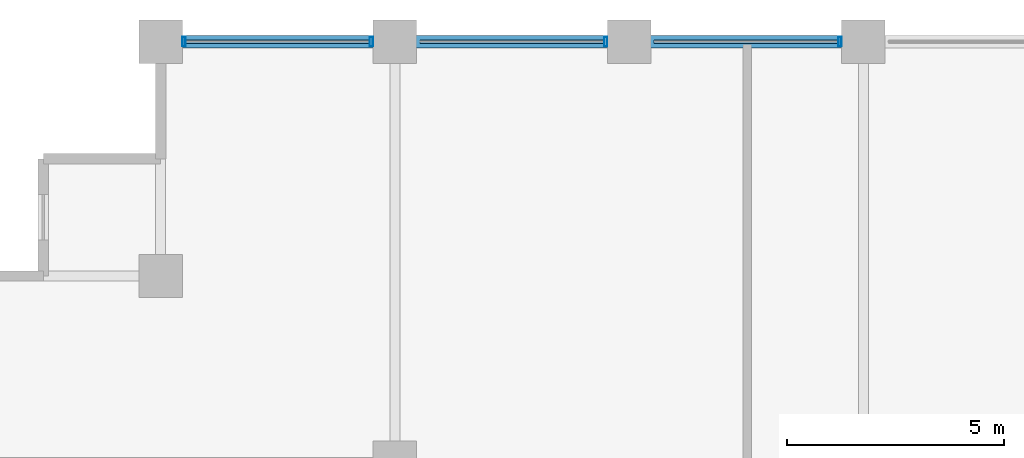
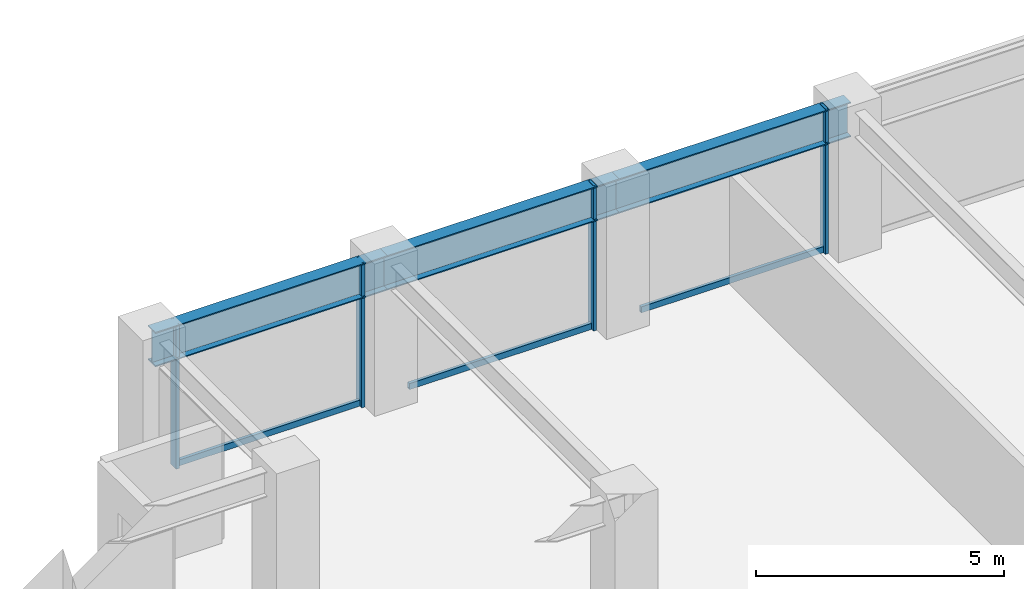
# One storey, part 12 of 23: 7 members, 3 beams, 1 element without a shape of its own.
"""IFC4 building model written with IfcOpenShell, lengths in metres."""

from ifc_helpers import new_model, si_unit, direction, frame, origin, origin_2d, place, context, subcontext, project, spatial, hollow_rectangle, i_section, extrude, material, layer, layer_set, material_profile, profile_set, type_object, element, aggregate, save


model = new_model("IFC4")

# Units and contexts
model_context = context("Model", 3, precision=1e-05, world=origin(), true_north=direction((0.0, 1.0)))
body_context = subcontext(model_context, "Body", "Model", "MODEL_VIEW")
ifc_project = project(units=[si_unit("LENGTHUNIT", "METRE"), si_unit("AREAUNIT", "SQUARE_METRE"), si_unit("VOLUMEUNIT", "CUBIC_METRE"), si_unit("PLANEANGLEUNIT", "RADIAN"), si_unit("MASSUNIT", "GRAM", prefix="KILO")], contexts=[model_context])

# Site, building, storey
site_placement = place(None, origin())
site = spatial("IfcSite", under=ifc_project, at=site_placement, CompositionType="ELEMENT")
building_placement = place(site_placement, origin())
building = spatial("IfcBuilding", under=site, at=building_placement, Name="Surkhivell Harbour Commons", CompositionType="ELEMENT")
storey_placement = place(building_placement, frame((0.0, 0.0, 135.75)))
storey = spatial("IfcBuildingStorey", under=building, at=storey_placement, Name="L35", CompositionType="ELEMENT", Elevation=135.75)

# Beams
ifc_material_1 = material(Name="Steel S460", Category="steel")
ifc_material_profile_1 = material_profile(ifc_material_1, i_section(OverallWidth=0.2939453125, OverallDepth=0.85107421875, WebThickness=0.01611328125, FlangeThickness=0.02685546875, at=origin_2d()), Name="UB838x292x226")
ifc_profile_set_1 = profile_set([ifc_material_profile_1], Name="Steel S460")
beam_type = type_object("IfcBeamType", Name="BM-SPN-838", PredefinedType="SPANDREL", material=ifc_profile_set_1)
beam_1_placement = place(storey_placement, frame((-27.0, 25.89990234375, 3.14453125), z_axis=(1.0, 0.0, 0.0), x_axis=(0.0, 1.0, 0.0)))
element("IfcBeam", 1, at=beam_1_placement, inside=storey, type_object=beam_type, Name="L35 Tube Spandrel (-27.0,25.9)", PredefinedType="SPANDREL", context=body_context, shape_type="SweptSolid", body=[
    extrude(i_section(OverallWidth=0.2939453125, OverallDepth=0.85107421875, WebThickness=0.01611328125, FlangeThickness=0.02685546875, at=origin_2d()), origin(), (0.0, 0.0, 1.0), 5.39990234375),
])
beam_2_placement = place(storey_placement, frame((-21.60009765625, 25.89990234375, 3.14453125), z_axis=(1.0, 0.0, 0.0), x_axis=(0.0, 1.0, 0.0)))
element("IfcBeam", 2, at=beam_2_placement, inside=storey, type_object=beam_type, Name="L35 Tube Spandrel (-21.6,25.9)", PredefinedType="SPANDREL", context=body_context, shape_type="SweptSolid", body=[
    extrude(i_section(OverallWidth=0.2939453125, OverallDepth=0.85107421875, WebThickness=0.01611328125, FlangeThickness=0.02685546875, at=origin_2d()), origin(), (0.0, 0.0, 1.0), 5.400146484375),
])
beam_3_placement = place(storey_placement, frame((-16.199951171875, 25.89990234375, 3.14453125), z_axis=(1.0, 0.0, 0.0), x_axis=(0.0, 1.0, 0.0)))
element("IfcBeam", 3, at=beam_3_placement, inside=storey, type_object=beam_type, Name="L35 Tube Spandrel (-16.2,25.9)", PredefinedType="SPANDREL", context=body_context, shape_type="SweptSolid", body=[
    extrude(i_section(OverallWidth=0.2939453125, OverallDepth=0.85107421875, WebThickness=0.01611328125, FlangeThickness=0.02685546875, at=origin_2d()), origin(), (0.0, 0.0, 1.0), 5.39990234375),
])

# Curtain wall, members
ifc_material_2 = material(Name="Anodised pale-metal aluminium and insulated glazing", Category="aluminium")
ifc_layer = layer(ifc_material_2, 0.205078125)
ifc_layer_set = layer_set([ifc_layer], Name="Anodised pale-metal aluminium and insulated glazing")
curtain_wall_type = type_object("IfcCurtainWallType", Name="CW-SYS-Z2", PredefinedType="NOTDEFINED", material=ifc_layer_set)
curtain_wall_placement = place(storey_placement, origin())
curtain_wall = element("IfcCurtainWall", 4, at=curtain_wall_placement, inside=storey, type_object=curtain_wall_type, Name="L35 Curtain Wall CW-L35-E07S2", PredefinedType="NOTDEFINED")
ifc_material_3 = material(Name="Anodised pale-metal aluminium alloy 6063-T6", Category="aluminium")
ifc_material_profile_2 = material_profile(ifc_material_3, hollow_rectangle(XDim=0.074951171875, YDim=0.219970703125, WallThickness=0.00390625, at=origin_2d()), Name="ALU-MULL-75x220")
ifc_profile_set_2 = profile_set([ifc_material_profile_2], Name="Anodised pale-metal aluminium alloy 6063-T6")
member_type_1 = type_object("IfcMemberType", Name="CWM-220", PredefinedType="MULLION", material=ifc_profile_set_2)
member_1_placement = place(storey_placement, frame((-11.339599609375, 25.89990234375, 0.0), z_axis=(0.0, 0.0, 1.0), x_axis=(-1.0, 0.0, 0.0)))
member_1 = element("IfcMember", 5, at=member_1_placement, type_object=member_type_1, Name="CW-Z2 mullion 2", PredefinedType="MULLION", context=body_context, shape_type="SweptSolid", body=[
    extrude(hollow_rectangle(XDim=0.074951171875, YDim=0.219970703125, WallThickness=0.00390625, at=origin_2d()), origin(), (0.0, 0.0, 1.0), 3.570068359375),
])
member_2_placement = place(storey_placement, frame((-16.739501953125, 25.89990234375, 0.0), z_axis=(0.0, 0.0, 1.0), x_axis=(-1.0, 0.0, 0.0)))
member_2 = element("IfcMember", 6, at=member_2_placement, type_object=member_type_1, Name="CW-Z2 mullion 3", PredefinedType="MULLION", context=body_context, shape_type="SweptSolid", body=[
    extrude(hollow_rectangle(XDim=0.074951171875, YDim=0.219970703125, WallThickness=0.00390625, at=origin_2d()), origin(), (0.0, 0.0, 1.0), 3.570068359375),
])
member_3_placement = place(storey_placement, frame((-22.139404296875, 25.89990234375, 0.0), z_axis=(0.0, 0.0, 1.0), x_axis=(-1.0, 0.0, 0.0)))
member_3 = element("IfcMember", 7, at=member_3_placement, type_object=member_type_1, Name="CW-Z2 mullion 4", PredefinedType="MULLION", context=body_context, shape_type="SweptSolid", body=[
    extrude(hollow_rectangle(XDim=0.074951171875, YDim=0.219970703125, WallThickness=0.00390625, at=origin_2d()), origin(), (0.0, 0.0, 1.0), 3.570068359375),
])
member_4_placement = place(storey_placement, frame((-26.46044921875, 25.89990234375, 0.0), z_axis=(0.0, 0.0, 1.0), x_axis=(-1.0, 0.0, 0.0)))
member_4 = element("IfcMember", 8, at=member_4_placement, type_object=member_type_1, Name="CW-Z2 mullion 5", PredefinedType="MULLION", context=body_context, shape_type="SweptSolid", body=[
    extrude(hollow_rectangle(XDim=0.074951171875, YDim=0.219970703125, WallThickness=0.00390625, at=origin_2d()), origin(), (0.0, 0.0, 1.0), 3.570068359375),
])
ifc_material_profile_3 = material_profile(ifc_material_3, hollow_rectangle(XDim=0.074951171875, YDim=0.14990234375, WallThickness=0.00341796875, at=origin_2d()), Name="ALU-TRAN-75x150")
ifc_profile_set_3 = profile_set([ifc_material_profile_3], Name="Anodised pale-metal aluminium alloy 6063-T6")
member_type_2 = type_object("IfcMemberType", Name="CWT-150", PredefinedType="USERDEFINED", material=ifc_profile_set_3)
member_5_placement = place(storey_placement, frame((-11.376953125, 25.89990234375, 0.074951171875), z_axis=(-1.0, 0.0, 0.0), x_axis=(0.0, -1.0, 0.0)))
member_5 = element("IfcMember", 9, at=member_5_placement, type_object=member_type_2, Name="CW-Z2 transom 2.1", ObjectType="TRANSOM", PredefinedType="USERDEFINED", context=body_context, shape_type="SweptSolid", body=[
    extrude(hollow_rectangle(XDim=0.074951171875, YDim=0.14990234375, WallThickness=0.00341796875, at=origin_2d()), origin(), (0.0, 0.0, 1.0), 4.24609375),
])
member_6_placement = place(storey_placement, frame((-16.777099609375, 25.89990234375, 0.074951171875), z_axis=(-1.0, 0.0, 0.0), x_axis=(0.0, -1.0, 0.0)))
member_6 = element("IfcMember", 10, at=member_6_placement, type_object=member_type_2, Name="CW-Z2 transom 3.1", ObjectType="TRANSOM", PredefinedType="USERDEFINED", context=body_context, shape_type="SweptSolid", body=[
    extrude(hollow_rectangle(XDim=0.074951171875, YDim=0.14990234375, WallThickness=0.00341796875, at=origin_2d()), origin(), (0.0, 0.0, 1.0), 4.245849609375),
])
member_7_placement = place(storey_placement, frame((-22.177001953125, 25.89990234375, 0.074951171875), z_axis=(-1.0, 0.0, 0.0), x_axis=(0.0, -1.0, 0.0)))
member_7 = element("IfcMember", 11, at=member_7_placement, type_object=member_type_2, Name="CW-Z2 transom 4.1", ObjectType="TRANSOM", PredefinedType="USERDEFINED", context=body_context, shape_type="SweptSolid", body=[
    extrude(hollow_rectangle(XDim=0.074951171875, YDim=0.14990234375, WallThickness=0.00341796875, at=origin_2d()), origin(), (0.0, 0.0, 1.0), 4.24609375),
])
aggregate(curtain_wall, [member_1, member_5, member_2, member_6, member_3, member_4, member_7])

save(model, "model.ifc")
